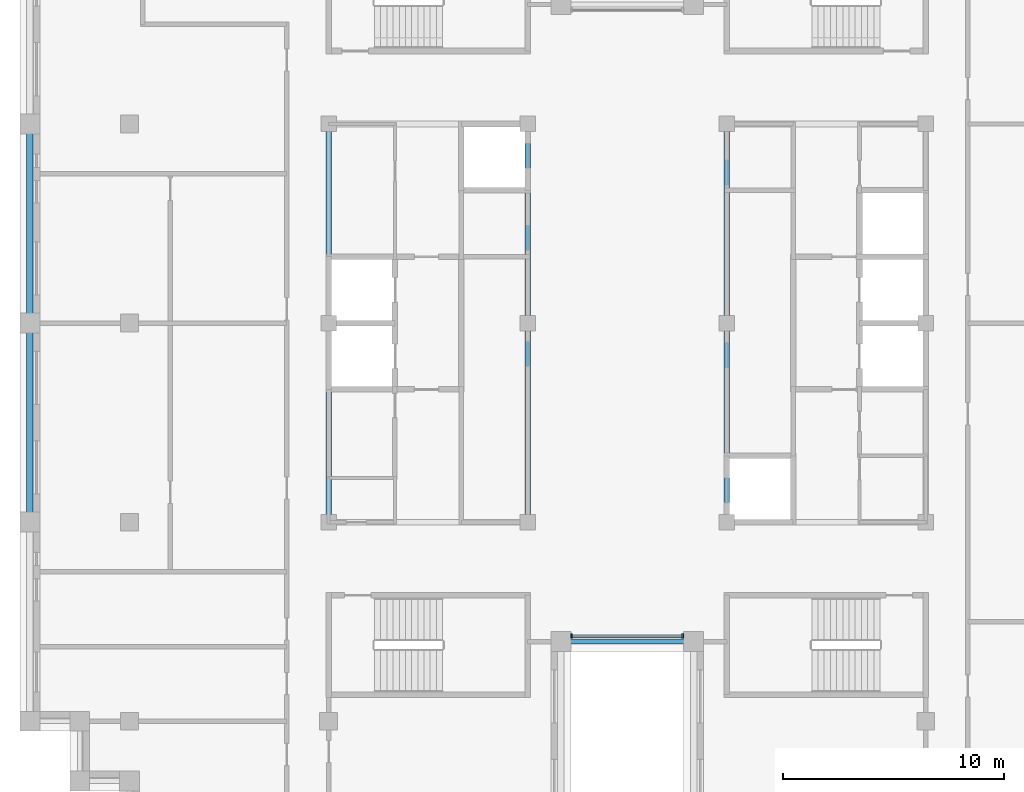
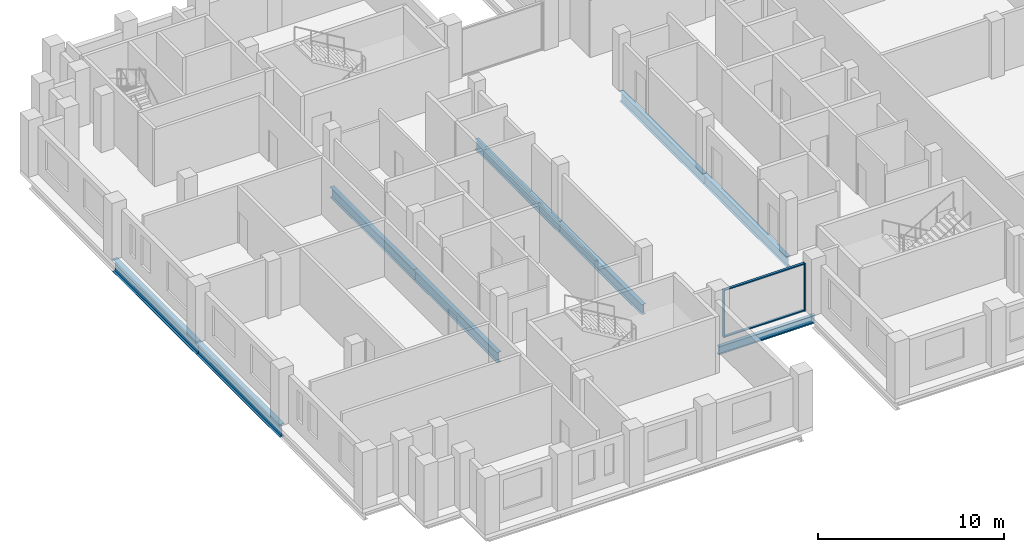
# One storey, part 2 of 13: 9 beams, 4 members, 1 element without a shape of its own.
"""IFC4 building model written with IfcOpenShell, lengths in metres."""

from ifc_helpers import new_model, si_unit, direction, frame, origin, origin_2d, place, context, subcontext, project, spatial, rectangle, i_section, extrude, material, layer, layer_set, material_profile, profile_set, type_object, element, aggregate, save


model = new_model("IFC4")

# Units and contexts
model_context = context("Model", 3, precision=1e-05, world=origin(), true_north=direction((0.0, 1.0)))
body_context = subcontext(model_context, "Body", "Model", "MODEL_VIEW")
ifc_project = project(units=[si_unit("LENGTHUNIT", "METRE"), si_unit("AREAUNIT", "SQUARE_METRE"), si_unit("VOLUMEUNIT", "CUBIC_METRE"), si_unit("PLANEANGLEUNIT", "RADIAN"), si_unit("MASSUNIT", "GRAM", prefix="KILO")], contexts=[model_context])

# Site, building, storey
site_placement = place(None, origin())
site = spatial("IfcSite", under=ifc_project, at=site_placement, CompositionType="ELEMENT")
building_placement = place(site_placement, origin())
building = spatial("IfcBuilding", under=site, at=building_placement, Name="Corbelhall Arena Tower", CompositionType="ELEMENT")
storey_placement = place(building_placement, frame((0.0, 0.0, 304.0)))
storey = spatial("IfcBuildingStorey", under=building, at=storey_placement, Name="L66", CompositionType="ELEMENT", Elevation=304.0)

# Curtain wall, members
ifc_material_1 = material(Name="Aluminium black anodised", Category="aluminium")
ifc_layer = layer(ifc_material_1, 0.199951171875)
ifc_layer_set = layer_set([ifc_layer], Name="EV-CW1 Slot back wall")
curtain_wall_type = type_object("IfcCurtainWallType", Name="EV-CW1 Slot back wall", PredefinedType="NOTDEFINED", material=ifc_layer_set)
curtain_wall_placement = place(storey_placement, origin())
curtain_wall = element("IfcCurtainWall", 1, at=curtain_wall_placement, inside=storey, type_object=curtain_wall_type, Name="Curtain wall CW1", PredefinedType="NOTDEFINED")
ifc_material_profile_1 = material_profile(ifc_material_1, rectangle(XDim=0.199951171875, YDim=0.074951171875, at=origin_2d()))
ifc_profile_set_1 = profile_set([ifc_material_profile_1], Name="Aluminium black anodised")
member_type_1 = type_object("IfcMemberType", Name="EV-CW1-MULLION", PredefinedType="MULLION", material=ifc_profile_set_1)
member_1_placement = place(storey_placement, frame((-2.512451171875, -14.14990234375, 0.0), z_axis=(0.0, 0.0, 1.0), x_axis=(0.0, 1.0, 0.0)))
member_1 = element("IfcMember", 2, at=member_1_placement, type_object=member_type_1, Name="CW1 mullion 1", PredefinedType="MULLION", context=body_context, shape_type="SweptSolid", body=[
    extrude(rectangle(XDim=0.199951171875, YDim=0.074951171875, at=origin_2d()), origin(), (0.0, 0.0, 1.0), 3.139892578125),
])
member_2_placement = place(storey_placement, frame((2.512451171875, -14.14990234375, 0.0), z_axis=(0.0, 0.0, 1.0), x_axis=(0.0, 1.0, 0.0)))
member_2 = element("IfcMember", 3, at=member_2_placement, type_object=member_type_1, Name="CW1 mullion 2", PredefinedType="MULLION", context=body_context, shape_type="SweptSolid", body=[
    extrude(rectangle(XDim=0.199951171875, YDim=0.074951171875, at=origin_2d()), origin(), (0.0, 0.0, 1.0), 3.139892578125),
])
ifc_material_profile_2 = material_profile(ifc_material_1, rectangle(XDim=0.14990234375, YDim=0.074951171875, at=origin_2d()))
ifc_profile_set_2 = profile_set([ifc_material_profile_2], Name="Aluminium black anodised")
member_type_2 = type_object("IfcMemberType", Name="EV-CW1-TRANSOM", PredefinedType="USERDEFINED", material=ifc_profile_set_2)
member_3_placement = place(storey_placement, frame((-2.47509765625, -14.14990234375, 0.03759765625), z_axis=(1.0, 0.0, 0.0), x_axis=(0.0, 1.0, 0.0)))
member_3 = element("IfcMember", 4, at=member_3_placement, type_object=member_type_2, Name="CW1 transom 1.1", ObjectType="transom", PredefinedType="USERDEFINED", context=body_context, shape_type="SweptSolid", body=[
    extrude(rectangle(XDim=0.14990234375, YDim=0.074951171875, at=origin_2d()), origin(), (0.0, 0.0, 1.0), 4.9501953125),
])
member_4_placement = place(storey_placement, frame((-2.47509765625, -14.14990234375, 3.1025390625), z_axis=(1.0, 0.0, 0.0), x_axis=(0.0, 1.0, 0.0)))
member_4 = element("IfcMember", 5, at=member_4_placement, type_object=member_type_2, Name="CW1 transom 1.2", ObjectType="transom", PredefinedType="USERDEFINED", context=body_context, shape_type="SweptSolid", body=[
    extrude(rectangle(XDim=0.14990234375, YDim=0.074951171875, at=origin_2d()), origin(), (0.0, 0.0, 1.0), 4.9501953125),
])
aggregate(curtain_wall, [member_1, member_2, member_3, member_4])

# Beams
ifc_material_2 = material(Name="Steel ASTM A992 Gr50", Category="steel")
ifc_material_profile_3 = material_profile(ifc_material_2, i_section(OverallWidth=0.25390625, OverallDepth=0.67822265625, WebThickness=0.01171875, FlangeThickness=0.016357421875, at=origin_2d()))
ifc_profile_set_3 = profile_set([ifc_material_profile_3], Name="Steel ASTM A992 Gr50")
beam_type_1 = type_object("IfcBeamType", Name="ST-BEAM-W27x84", PredefinedType="BEAM", material=ifc_profile_set_3)
for number, where, z_axis, x_axis, name in (
    (6, (-13.5, -9.0, -0.59912109375), (0.0, 1.0, 0.0), (-1.0, 0.0, 0.0), "Beam CEW 1"),
    (7, (-13.5, 0.0, -0.59912109375), (0.0, 1.0, 0.0), (-1.0, 0.0, 0.0), "Beam CEW 2"),
    (8, (-4.5, -9.0, -0.59912109375), (0.0, 1.0, 0.0), (-1.0, 0.0, 0.0), "Beam CEW 3"),
    (9, (-4.5, 0.0, -0.59912109375), (0.0, 1.0, 0.0), (-1.0, 0.0, 0.0), "Beam CEW 4"),
    (10, (4.5, -9.0, -0.59912109375), (0.0, 1.0, 0.0), (-1.0, 0.0, 0.0), "Beam CEE 7"),
    (11, (4.5, 0.0, -0.59912109375), (0.0, 1.0, 0.0), (-1.0, 0.0, 0.0), "Beam CEE 8"),
):
    element("IfcBeam", number, at=place(storey_placement, frame(where, z_axis=z_axis, x_axis=x_axis)), inside=storey, type_object=beam_type_1, Name=name, PredefinedType="BEAM", context=body_context, shape_type="SweptSolid", body=[
        extrude(i_section(OverallWidth=0.25390625, OverallDepth=0.67822265625, WebThickness=0.01171875, FlangeThickness=0.016357421875, at=origin_2d()), origin(), (0.0, 0.0, 1.0), 9.0),
    ])
ifc_material_profile_4 = material_profile(ifc_material_2, i_section(OverallWidth=0.209228515625, OverallDepth=0.533447265625, WebThickness=0.01025390625, FlangeThickness=0.015625, at=origin_2d()))
ifc_profile_set_4 = profile_set([ifc_material_profile_4], Name="Steel ASTM A992 Gr50")
beam_type_2 = type_object("IfcBeamType", Name="ST-SPANDREL-W21x62", PredefinedType="SPANDREL", material=ifc_profile_set_4)
beam_placement = place(storey_placement, frame((3.0, -14.39990234375, -0.526611328125), z_axis=(-1.0, 0.0, 0.0), x_axis=(0.0, -1.0, 0.0)))
element("IfcBeam", 12, at=beam_placement, inside=storey, type_object=beam_type_2, Name="Beam SP 33", PredefinedType="SPANDREL", context=body_context, shape_type="SweptSolid", body=[
    extrude(i_section(OverallWidth=0.209228515625, OverallDepth=0.533447265625, WebThickness=0.01025390625, FlangeThickness=0.015625, at=origin_2d()), origin(), (0.0, 0.0, 1.0), 6.0),
])
ifc_material_profile_5 = material_profile(ifc_material_2, i_section(OverallWidth=0.2919921875, OverallDepth=0.845703125, WebThickness=0.015380859375, FlangeThickness=0.0244140625, at=origin_2d()))
ifc_profile_set_5 = profile_set([ifc_material_profile_5], Name="Steel ASTM A992 Gr50")
beam_type_3 = type_object("IfcBeamType", Name="ST-SPANDREL-W33x141", PredefinedType="SPANDREL", material=ifc_profile_set_5)
for number, where, z_axis, x_axis, name in (
    (13, (-27.0, 0.0, -0.682861328125), (0.0, 1.0, 0.0), (-1.0, 0.0, 0.0), "Beam SP 26"),
    (14, (-27.0, -9.0, -0.682861328125), (0.0, 1.0, 0.0), (-1.0, 0.0, 0.0), "Beam SP 29"),
):
    element("IfcBeam", number, at=place(storey_placement, frame(where, z_axis=z_axis, x_axis=x_axis)), inside=storey, type_object=beam_type_3, Name=name, PredefinedType="SPANDREL", context=body_context, shape_type="SweptSolid", body=[
        extrude(i_section(OverallWidth=0.2919921875, OverallDepth=0.845703125, WebThickness=0.015380859375, FlangeThickness=0.0244140625, at=origin_2d()), origin(), (0.0, 0.0, 1.0), 9.0),
    ])

save(model, "model.ifc")
